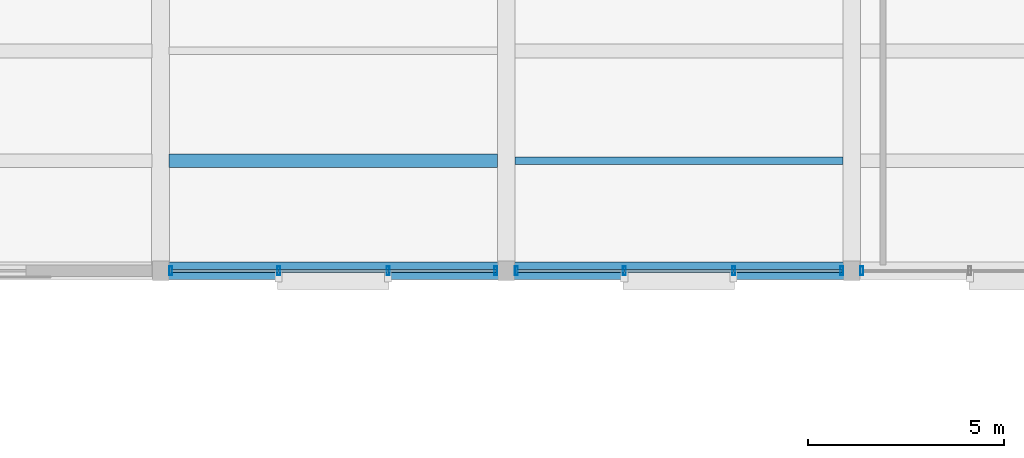
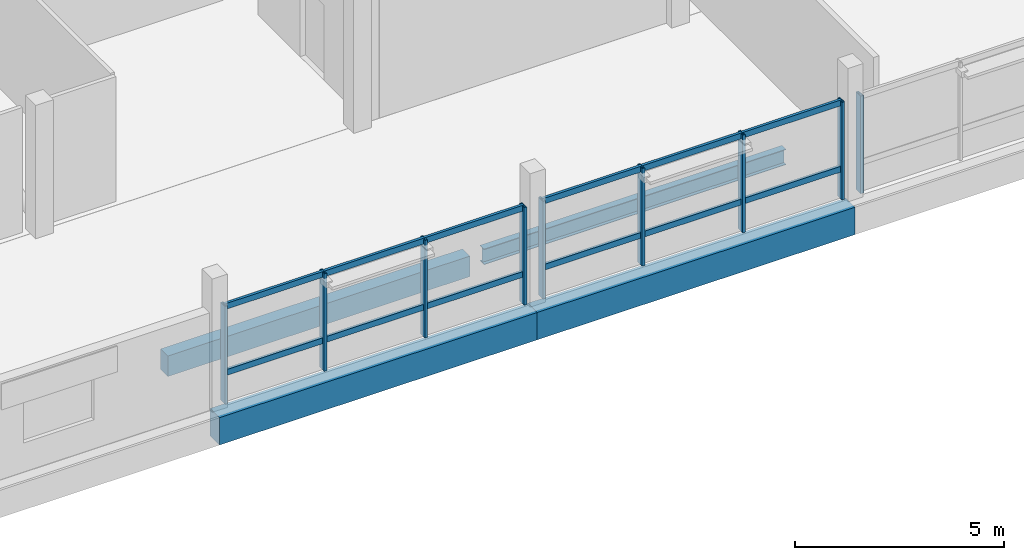
# One storey, part 26 of 62: 21 members, 4 beams, 3 elements without a shape of their own.
"""IFC4 building model written with IfcOpenShell, lengths in metres."""

from ifc_helpers import new_model, si_unit, direction, frame, origin, origin_2d, place, context, subcontext, project, spatial, rectangle, hollow_rectangle, i_section, extrude, material, layer, layer_set, material_profile, profile_set, type_object, element, aggregate, save


model = new_model("IFC4")

# Units and contexts
model_context = context("Model", 3, precision=1e-05, world=origin(), true_north=direction((0.0, 1.0)))
body_context = subcontext(model_context, "Body", "Model", "MODEL_VIEW")
ifc_project = project(units=[si_unit("LENGTHUNIT", "METRE"), si_unit("AREAUNIT", "SQUARE_METRE"), si_unit("VOLUMEUNIT", "CUBIC_METRE"), si_unit("PLANEANGLEUNIT", "RADIAN"), si_unit("MASSUNIT", "GRAM", prefix="KILO")], contexts=[model_context])

# Site, building, storey
site_placement = place(None, origin())
site = spatial("IfcSite", under=ifc_project, at=site_placement, CompositionType="ELEMENT")
building_placement = place(site_placement, origin())
building = spatial("IfcBuilding", under=site, at=building_placement, Name="Meriwether Solvik Hall", CompositionType="ELEMENT")
storey_placement = place(building_placement, frame((0.0, 0.0, 14.39990234375)))
storey = spatial("IfcBuildingStorey", under=building, at=storey_placement, Name="L03", CompositionType="ELEMENT", Elevation=14.39990234375)

# Beams
ifc_material_1 = material(Name="Concrete C40/50", Category="concrete")
ifc_material_profile_1 = material_profile(ifc_material_1, rectangle(XDim=0.35009765625, YDim=0.60009765625, at=origin_2d()), Name="RCB-350X600")
ifc_profile_set_1 = profile_set([ifc_material_profile_1], Name="Concrete C40/50")
beam_type_1 = type_object("IfcBeamType", Name="BM-RC-350X600", PredefinedType="JOIST", material=ifc_profile_set_1)
beam_1_placement = place(storey_placement, frame((132.02001953125, 52.800048828125, -0.544921875), z_axis=(1.0, 0.0, 0.0), x_axis=(0.0, 1.0, 0.0)))
element("IfcBeam", 1, at=beam_1_placement, inside=storey, type_object=beam_type_1, Name="Secondary Floor Joist 15/F_J1 (L03)", PredefinedType="JOIST", context=body_context, shape_type="SweptSolid", body=[
    extrude(rectangle(XDim=0.35009765625, YDim=0.60009765625, at=origin_2d()), origin(), (0.0, 0.0, 1.0), 8.35986328125),
])
ifc_material_2 = material(Name="Concrete C40/50", Category="concrete")
ifc_material_profile_2 = material_profile(ifc_material_2, rectangle(XDim=0.449951171875, YDim=0.800048828125, at=origin_2d()), Name="RCB-450X800")
ifc_profile_set_2 = profile_set([ifc_material_profile_2], Name="Concrete C40/50")
beam_type_2 = type_object("IfcBeamType", Name="BM-RC-450X800", PredefinedType="BEAM", material=ifc_profile_set_2)
beam_2_placement = place(storey_placement, frame((131.800048828125, 50.0, -0.64501953125), z_axis=(1.0, 0.0, 0.0), x_axis=(0.0, 1.0, 0.0)))
element("IfcBeam", 2, at=beam_2_placement, inside=storey, type_object=beam_type_2, Name="Podium Girder F:15-16 (L03)", PredefinedType="BEAM", context=body_context, shape_type="SweptSolid", body=[
    extrude(rectangle(XDim=0.449951171875, YDim=0.800048828125, at=origin_2d()), origin(), (0.0, 0.0, 1.0), 8.800048828125),
])
beam_3_placement = place(storey_placement, frame((140.60009765625, 50.0, -0.64501953125), z_axis=(1.0, 0.0, 0.0), x_axis=(0.0, 1.0, 0.0)))
element("IfcBeam", 3, at=beam_3_placement, inside=storey, type_object=beam_type_2, Name="Podium Girder F:16-17 (L03)", PredefinedType="BEAM", context=body_context, shape_type="SweptSolid", body=[
    extrude(rectangle(XDim=0.449951171875, YDim=0.800048828125, at=origin_2d()), origin(), (0.0, 0.0, 1.0), 8.7998046875),
])
ifc_material_3 = material(Name="Steel A992 Grade 50", Category="steel")
ifc_material_profile_3 = material_profile(ifc_material_3, i_section(OverallWidth=0.19091796875, OverallDepth=0.45703125, WebThickness=0.009033203125, FlangeThickness=0.014404296875, at=origin_2d()), Name="W18X50")
ifc_profile_set_3 = profile_set([ifc_material_profile_3], Name="Steel A992 Grade 50")
beam_type_3 = type_object("IfcBeamType", Name="BM-STL-W18X50", PredefinedType="JOIST", material=ifc_profile_set_3)
beam_4_placement = place(storey_placement, frame((140.820068359375, 52.800048828125, -0.473388671875), z_axis=(1.0, 0.0, 0.0), x_axis=(0.0, 1.0, 0.0)))
element("IfcBeam", 4, at=beam_4_placement, inside=storey, type_object=beam_type_3, Name="Secondary Floor Joist 16/F_J1 (L03)", PredefinedType="JOIST", context=body_context, shape_type="SweptSolid", body=[
    extrude(i_section(OverallWidth=0.19091796875, OverallDepth=0.45703125, WebThickness=0.009033203125, FlangeThickness=0.014404296875, at=origin_2d()), origin(), (0.0, 0.0, 1.0), 8.35986328125),
])

# Curtain wall, members
ifc_material_4 = material(Name="Thermally Broken Anodised Aluminium 6063-T6 and Low-E Glass", Category="aluminium")
ifc_layer = layer(ifc_material_4, 0.179931640625)
ifc_layer_set = layer_set([ifc_layer], Name="Thermally Broken Anodised Aluminium 6063-T6 and Low-E Glass")
curtain_wall_type = type_object("IfcCurtainWallType", Name="CW-UNIT-E", PredefinedType="USERDEFINED", material=ifc_layer_set)
curtain_wall_1_placement = place(storey_placement, origin())
curtain_wall_1 = element("IfcCurtainWall", 5, at=curtain_wall_1_placement, inside=storey, type_object=curtain_wall_type, Name="Curtain Wall wing_XF_15_8 (L03)", ObjectType="UNITISED CURTAIN WALL", PredefinedType="USERDEFINED")
ifc_material_5 = material(Name="Anodised Aluminium 6063-T6", Category="aluminium")
ifc_material_profile_4 = material_profile(ifc_material_5, hollow_rectangle(XDim=0.074951171875, YDim=0.219970703125, WallThickness=0.005615234375, at=origin_2d()), Name="CWM-75X220")
ifc_profile_set_4 = profile_set([ifc_material_profile_4], Name="Anodised Aluminium 6063-T6")
member_type_1 = type_object("IfcMemberType", Name="CW-MUL-75X220", PredefinedType="MULLION", material=ifc_profile_set_4)
member_1_placement = place(storey_placement, frame((140.340087890625, 50.0, 0.0), z_axis=(0.0, 0.0, 1.0), x_axis=(-1.0, 0.0, 0.0)))
member_1 = element("IfcMember", 6, at=member_1_placement, type_object=member_type_1, Name="Curtain Wall Mullion 1", PredefinedType="MULLION", context=body_context, shape_type="SweptSolid", body=[
    extrude(hollow_rectangle(XDim=0.074951171875, YDim=0.219970703125, WallThickness=0.005615234375, at=origin_2d()), origin(), (0.0, 0.0, 1.0), 2.85498046875),
])
member_2_placement = place(storey_placement, frame((137.5927734375, 50.0, 0.0), z_axis=(0.0, 0.0, 1.0), x_axis=(-1.0, 0.0, 0.0)))
member_2 = element("IfcMember", 7, at=member_2_placement, type_object=member_type_1, Name="Curtain Wall Mullion 2", PredefinedType="MULLION", context=body_context, shape_type="SweptSolid", body=[
    extrude(hollow_rectangle(XDim=0.074951171875, YDim=0.219970703125, WallThickness=0.005615234375, at=origin_2d()), origin(), (0.0, 0.0, 1.0), 2.85498046875),
])
member_3_placement = place(storey_placement, frame((134.807373046875, 50.0, 0.0), z_axis=(0.0, 0.0, 1.0), x_axis=(-1.0, 0.0, 0.0)))
member_3 = element("IfcMember", 8, at=member_3_placement, type_object=member_type_1, Name="Curtain Wall Mullion 3", PredefinedType="MULLION", context=body_context, shape_type="SweptSolid", body=[
    extrude(hollow_rectangle(XDim=0.074951171875, YDim=0.219970703125, WallThickness=0.005615234375, at=origin_2d()), origin(), (0.0, 0.0, 1.0), 2.85498046875),
])
member_4_placement = place(storey_placement, frame((132.06005859375, 50.0, 0.0), z_axis=(0.0, 0.0, 1.0), x_axis=(-1.0, 0.0, 0.0)))
member_4 = element("IfcMember", 9, at=member_4_placement, type_object=member_type_1, Name="Curtain Wall Mullion 4", PredefinedType="MULLION", context=body_context, shape_type="SweptSolid", body=[
    extrude(hollow_rectangle(XDim=0.074951171875, YDim=0.219970703125, WallThickness=0.005615234375, at=origin_2d()), origin(), (0.0, 0.0, 1.0), 2.85498046875),
])

curtain_wall_2_placement = place(storey_placement, origin())
curtain_wall_2 = element("IfcCurtainWall", 10, at=curtain_wall_2_placement, inside=storey, type_object=curtain_wall_type, Name="Curtain Wall wing_XF_16_9 (L03)", ObjectType="UNITISED CURTAIN WALL", PredefinedType="USERDEFINED")
member_5_placement = place(storey_placement, frame((149.139892578125, 50.0, 0.0), z_axis=(0.0, 0.0, 1.0), x_axis=(-1.0, 0.0, 0.0)))
member_5 = element("IfcMember", 11, at=member_5_placement, type_object=member_type_1, Name="Curtain Wall Mullion 1", PredefinedType="MULLION", context=body_context, shape_type="SweptSolid", body=[
    extrude(hollow_rectangle(XDim=0.074951171875, YDim=0.219970703125, WallThickness=0.005615234375, at=origin_2d()), origin(), (0.0, 0.0, 1.0), 2.85498046875),
])
member_6_placement = place(storey_placement, frame((146.392578125, 50.0, 0.0), z_axis=(0.0, 0.0, 1.0), x_axis=(-1.0, 0.0, 0.0)))
member_6 = element("IfcMember", 12, at=member_6_placement, type_object=member_type_1, Name="Curtain Wall Mullion 2", PredefinedType="MULLION", context=body_context, shape_type="SweptSolid", body=[
    extrude(hollow_rectangle(XDim=0.074951171875, YDim=0.219970703125, WallThickness=0.005615234375, at=origin_2d()), origin(), (0.0, 0.0, 1.0), 2.85498046875),
])
member_7_placement = place(storey_placement, frame((143.607421875, 50.0, 0.0), z_axis=(0.0, 0.0, 1.0), x_axis=(-1.0, 0.0, 0.0)))
member_7 = element("IfcMember", 13, at=member_7_placement, type_object=member_type_1, Name="Curtain Wall Mullion 3", PredefinedType="MULLION", context=body_context, shape_type="SweptSolid", body=[
    extrude(hollow_rectangle(XDim=0.074951171875, YDim=0.219970703125, WallThickness=0.005615234375, at=origin_2d()), origin(), (0.0, 0.0, 1.0), 2.85498046875),
])
member_8_placement = place(storey_placement, frame((140.860107421875, 50.0, 0.0), z_axis=(0.0, 0.0, 1.0), x_axis=(-1.0, 0.0, 0.0)))
member_8 = element("IfcMember", 14, at=member_8_placement, type_object=member_type_1, Name="Curtain Wall Mullion 4", PredefinedType="MULLION", context=body_context, shape_type="SweptSolid", body=[
    extrude(hollow_rectangle(XDim=0.074951171875, YDim=0.219970703125, WallThickness=0.005615234375, at=origin_2d()), origin(), (0.0, 0.0, 1.0), 2.85498046875),
])

# Curtain wall, member
curtain_wall_3_placement = place(storey_placement, origin())
curtain_wall_3 = element("IfcCurtainWall", 15, at=curtain_wall_3_placement, inside=storey, type_object=curtain_wall_type, Name="Curtain Wall wing_XF_17_10 (L03)", ObjectType="UNITISED CURTAIN WALL", PredefinedType="USERDEFINED")
member_9_placement = place(storey_placement, frame((149.659912109375, 50.0, 0.0), z_axis=(0.0, 0.0, 1.0), x_axis=(-1.0, 0.0, 0.0)))
member_9 = element("IfcMember", 16, at=member_9_placement, type_object=member_type_1, Name="Curtain Wall Mullion 4", PredefinedType="MULLION", context=body_context, shape_type="SweptSolid", body=[
    extrude(hollow_rectangle(XDim=0.074951171875, YDim=0.219970703125, WallThickness=0.005615234375, at=origin_2d()), origin(), (0.0, 0.0, 1.0), 2.85498046875),
])
aggregate(curtain_wall_3, [member_9])

# Member
ifc_material_6 = material(Name="Anodised Aluminium 6063-T6", Category="aluminium")
ifc_material_profile_5 = material_profile(ifc_material_6, hollow_rectangle(XDim=0.074951171875, YDim=0.169921875, WallThickness=0.005615234375, at=origin_2d()), Name="CWT-75X170")
ifc_profile_set_5 = profile_set([ifc_material_profile_5], Name="Anodised Aluminium 6063-T6")
member_type_2 = type_object("IfcMemberType", Name="CW-TRN-75X170", PredefinedType="USERDEFINED", material=ifc_profile_set_5)
member_10_placement = place(storey_placement, frame((140.340087890625, 50.0, 0.856689453125), z_axis=(-1.0, 0.0, 0.0), x_axis=(0.0, -1.0, 0.0)))
member_10 = element("IfcMember", 17, at=member_10_placement, type_object=member_type_2, Name="Curtain Wall Transom 1-sill", ObjectType="TRANSOM", PredefinedType="USERDEFINED", context=body_context, shape_type="SweptSolid", body=[
    extrude(hollow_rectangle(XDim=0.074951171875, YDim=0.169921875, WallThickness=0.005615234375, at=origin_2d()), origin(), (0.0, 0.0, 1.0), 2.747314453125),
])

member_11_placement = place(storey_placement, frame((140.340087890625, 50.0, 2.795166015625), z_axis=(-1.0, 0.0, 0.0), x_axis=(0.0, -1.0, 0.0)))
member_11 = element("IfcMember", 18, at=member_11_placement, type_object=member_type_2, Name="Curtain Wall Transom 1-head", ObjectType="TRANSOM", PredefinedType="USERDEFINED", context=body_context, shape_type="SweptSolid", body=[
    extrude(hollow_rectangle(XDim=0.074951171875, YDim=0.169921875, WallThickness=0.005615234375, at=origin_2d()), origin(), (0.0, 0.0, 1.0), 2.747314453125),
])

member_12_placement = place(storey_placement, frame((137.5927734375, 50.0, 0.856689453125), z_axis=(-1.0, 0.0, 0.0), x_axis=(0.0, -1.0, 0.0)))
member_12 = element("IfcMember", 19, at=member_12_placement, type_object=member_type_2, Name="Curtain Wall Transom 2-sill", ObjectType="TRANSOM", PredefinedType="USERDEFINED", context=body_context, shape_type="SweptSolid", body=[
    extrude(hollow_rectangle(XDim=0.074951171875, YDim=0.169921875, WallThickness=0.005615234375, at=origin_2d()), origin(), (0.0, 0.0, 1.0), 2.785400390625),
])

member_13_placement = place(storey_placement, frame((137.5927734375, 50.0, 2.795166015625), z_axis=(-1.0, 0.0, 0.0), x_axis=(0.0, -1.0, 0.0)))
member_13 = element("IfcMember", 20, at=member_13_placement, type_object=member_type_2, Name="Curtain Wall Transom 2-head", ObjectType="TRANSOM", PredefinedType="USERDEFINED", context=body_context, shape_type="SweptSolid", body=[
    extrude(hollow_rectangle(XDim=0.074951171875, YDim=0.169921875, WallThickness=0.005615234375, at=origin_2d()), origin(), (0.0, 0.0, 1.0), 2.785400390625),
])

member_14_placement = place(storey_placement, frame((134.807373046875, 50.0, 0.856689453125), z_axis=(-1.0, 0.0, 0.0), x_axis=(0.0, -1.0, 0.0)))
member_14 = element("IfcMember", 21, at=member_14_placement, type_object=member_type_2, Name="Curtain Wall Transom 3-sill", ObjectType="TRANSOM", PredefinedType="USERDEFINED", context=body_context, shape_type="SweptSolid", body=[
    extrude(hollow_rectangle(XDim=0.074951171875, YDim=0.169921875, WallThickness=0.005615234375, at=origin_2d()), origin(), (0.0, 0.0, 1.0), 2.747314453125),
])

member_15_placement = place(storey_placement, frame((134.807373046875, 50.0, 2.795166015625), z_axis=(-1.0, 0.0, 0.0), x_axis=(0.0, -1.0, 0.0)))
member_15 = element("IfcMember", 22, at=member_15_placement, type_object=member_type_2, Name="Curtain Wall Transom 3-head", ObjectType="TRANSOM", PredefinedType="USERDEFINED", context=body_context, shape_type="SweptSolid", body=[
    extrude(hollow_rectangle(XDim=0.074951171875, YDim=0.169921875, WallThickness=0.005615234375, at=origin_2d()), origin(), (0.0, 0.0, 1.0), 2.747314453125),
])

aggregate(curtain_wall_1, [member_1, member_2, member_3, member_4, member_10, member_11, member_12, member_13, member_14, member_15])

member_16_placement = place(storey_placement, frame((149.139892578125, 50.0, 0.856689453125), z_axis=(-1.0, 0.0, 0.0), x_axis=(0.0, -1.0, 0.0)))
member_16 = element("IfcMember", 23, at=member_16_placement, type_object=member_type_2, Name="Curtain Wall Transom 1-sill", ObjectType="TRANSOM", PredefinedType="USERDEFINED", context=body_context, shape_type="SweptSolid", body=[
    extrude(hollow_rectangle(XDim=0.074951171875, YDim=0.169921875, WallThickness=0.005615234375, at=origin_2d()), origin(), (0.0, 0.0, 1.0), 2.747314453125),
])

member_17_placement = place(storey_placement, frame((149.139892578125, 50.0, 2.795166015625), z_axis=(-1.0, 0.0, 0.0), x_axis=(0.0, -1.0, 0.0)))
member_17 = element("IfcMember", 24, at=member_17_placement, type_object=member_type_2, Name="Curtain Wall Transom 1-head", ObjectType="TRANSOM", PredefinedType="USERDEFINED", context=body_context, shape_type="SweptSolid", body=[
    extrude(hollow_rectangle(XDim=0.074951171875, YDim=0.169921875, WallThickness=0.005615234375, at=origin_2d()), origin(), (0.0, 0.0, 1.0), 2.747314453125),
])

member_18_placement = place(storey_placement, frame((146.392578125, 50.0, 0.856689453125), z_axis=(-1.0, 0.0, 0.0), x_axis=(0.0, -1.0, 0.0)))
member_18 = element("IfcMember", 25, at=member_18_placement, type_object=member_type_2, Name="Curtain Wall Transom 2-sill", ObjectType="TRANSOM", PredefinedType="USERDEFINED", context=body_context, shape_type="SweptSolid", body=[
    extrude(hollow_rectangle(XDim=0.074951171875, YDim=0.169921875, WallThickness=0.005615234375, at=origin_2d()), origin(), (0.0, 0.0, 1.0), 2.78515625),
])

member_19_placement = place(storey_placement, frame((146.392578125, 50.0, 2.795166015625), z_axis=(-1.0, 0.0, 0.0), x_axis=(0.0, -1.0, 0.0)))
member_19 = element("IfcMember", 26, at=member_19_placement, type_object=member_type_2, Name="Curtain Wall Transom 2-head", ObjectType="TRANSOM", PredefinedType="USERDEFINED", context=body_context, shape_type="SweptSolid", body=[
    extrude(hollow_rectangle(XDim=0.074951171875, YDim=0.169921875, WallThickness=0.005615234375, at=origin_2d()), origin(), (0.0, 0.0, 1.0), 2.78515625),
])

member_20_placement = place(storey_placement, frame((143.607421875, 50.0, 0.856689453125), z_axis=(-1.0, 0.0, 0.0), x_axis=(0.0, -1.0, 0.0)))
member_20 = element("IfcMember", 27, at=member_20_placement, type_object=member_type_2, Name="Curtain Wall Transom 3-sill", ObjectType="TRANSOM", PredefinedType="USERDEFINED", context=body_context, shape_type="SweptSolid", body=[
    extrude(hollow_rectangle(XDim=0.074951171875, YDim=0.169921875, WallThickness=0.005615234375, at=origin_2d()), origin(), (0.0, 0.0, 1.0), 2.747314453125),
])

member_21_placement = place(storey_placement, frame((143.607421875, 50.0, 2.795166015625), z_axis=(-1.0, 0.0, 0.0), x_axis=(0.0, -1.0, 0.0)))
member_21 = element("IfcMember", 28, at=member_21_placement, type_object=member_type_2, Name="Curtain Wall Transom 3-head", ObjectType="TRANSOM", PredefinedType="USERDEFINED", context=body_context, shape_type="SweptSolid", body=[
    extrude(hollow_rectangle(XDim=0.074951171875, YDim=0.169921875, WallThickness=0.005615234375, at=origin_2d()), origin(), (0.0, 0.0, 1.0), 2.747314453125),
])

aggregate(curtain_wall_2, [member_5, member_6, member_7, member_8, member_16, member_17, member_18, member_19, member_20, member_21])

save(model, "model.ifc")
